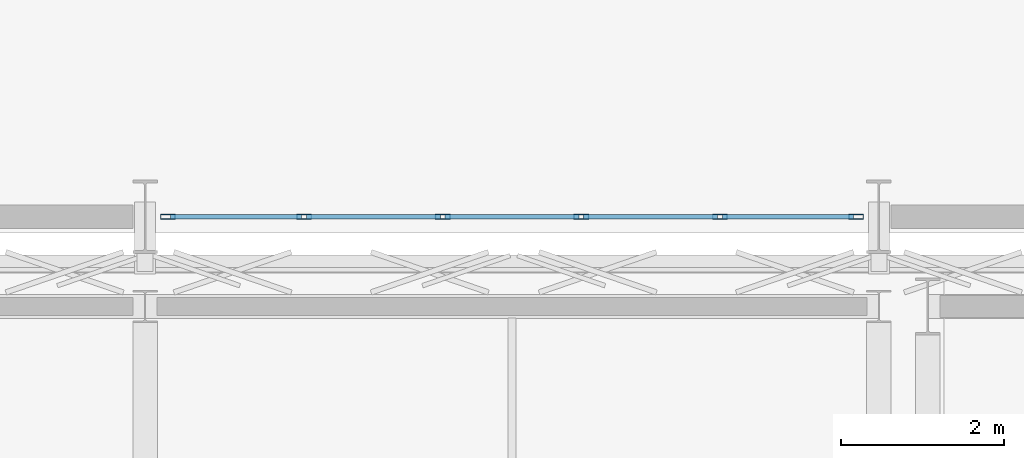
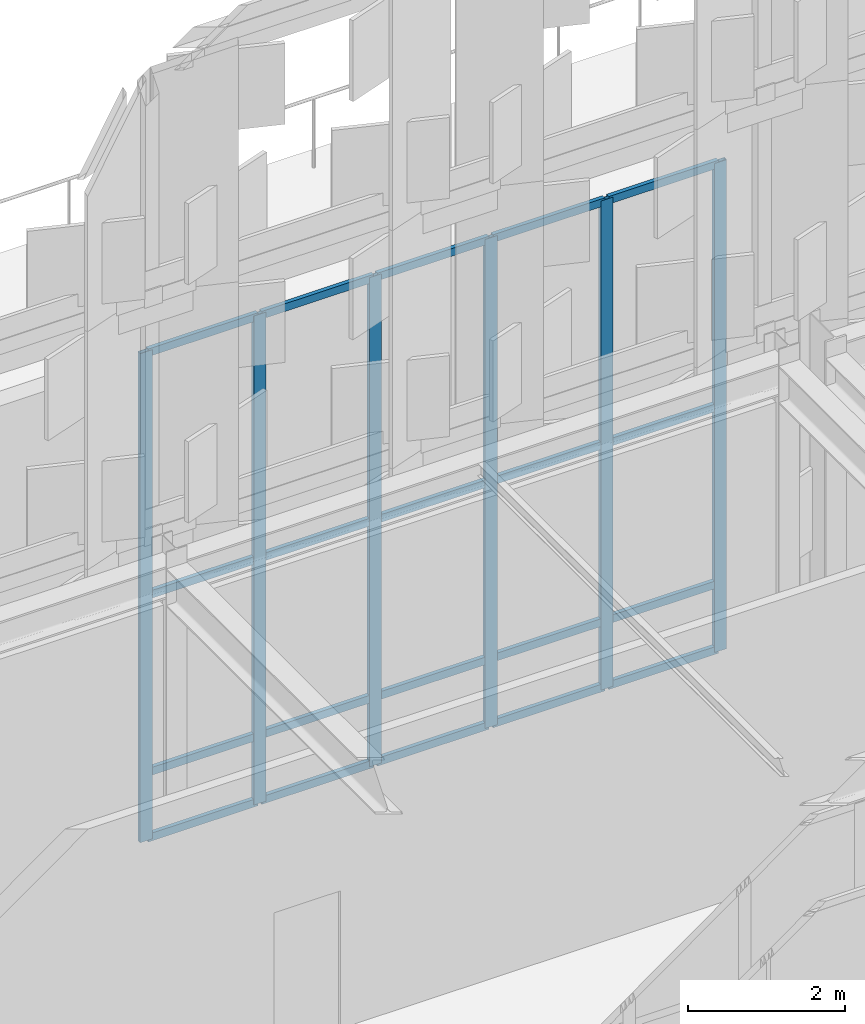
# One storey, part 54 of 210: 26 members, 1 element without a shape of its own.
"""IFC4 building model written with IfcOpenShell, lengths in metres."""

from ifc_helpers import new_model, si_unit, direction, frame, origin, origin_2d, place, context, subcontext, project, spatial, hollow_rectangle, extrude, material, material_profile, profile_set, type_object, element, aggregate, save


model = new_model("IFC4")

# Units and contexts
model_context = context("Model", 3, precision=1e-05, world=origin(), true_north=direction((0.0, 1.0)))
body_context = subcontext(model_context, "Body", "Model", "MODEL_VIEW")
ifc_project = project(units=[si_unit("LENGTHUNIT", "METRE"), si_unit("AREAUNIT", "SQUARE_METRE"), si_unit("VOLUMEUNIT", "CUBIC_METRE"), si_unit("PLANEANGLEUNIT", "RADIAN"), si_unit("MASSUNIT", "GRAM", prefix="KILO")], contexts=[model_context])

# Site, building, storey
site_placement = place(None, origin())
site = spatial("IfcSite", under=ifc_project, at=site_placement, CompositionType="ELEMENT")
building_placement = place(site_placement, origin())
building = spatial("IfcBuilding", under=site, at=building_placement, Name="Kaldris Quays Convention Centre", CompositionType="ELEMENT")
storey_placement = place(building_placement, frame((0.0, 0.0, 6.0)))
storey = spatial("IfcBuildingStorey", under=building, at=storey_placement, Name="L01", CompositionType="ELEMENT", Elevation=6.0)

# Curtain wall, members
ifc_material_1 = material(Name="Anodized aluminium AW-6060 and triple glazing", Category="aluminium")
curtain_wall_type = type_object("IfcCurtainWallType", Name="UNITISED CURTAIN WALL CW03", PredefinedType="NOTDEFINED", material=ifc_material_1)
curtain_wall_placement = place(storey_placement, origin())
curtain_wall = element("IfcCurtainWall", 1, at=curtain_wall_placement, inside=storey, type_object=curtain_wall_type, Name="L01 Unitised Curtain Wall CW03 7", PredefinedType="NOTDEFINED")
ifc_material_2 = material(Name="Anodized aluminium AW-6060", Category="aluminium")
ifc_material_profile_1 = material_profile(ifc_material_2, hollow_rectangle(XDim=0.06005859375, YDim=0.179931640625, WallThickness=0.0048828125, at=origin_2d()), Name="RHS 180x60x5")
ifc_profile_set_1 = profile_set([ifc_material_profile_1], Name="Anodized aluminium AW-6060")
member_type_1 = type_object("IfcMemberType", Name="CURTAIN MULLION CWM2", PredefinedType="MULLION", material=ifc_profile_set_1)
member_1_placement = place(storey_placement, frame((74.280029296875, 56.0, 0.0), z_axis=(0.0, 0.0, 1.0), x_axis=(0.0, 1.0, 0.0)))
member_1 = element("IfcMember", 2, at=member_1_placement, type_object=member_type_1, Name="CW03 mullion 1", PredefinedType="MULLION", context=body_context, shape_type="SweptSolid", body=[
    extrude(hollow_rectangle(XDim=0.06005859375, YDim=0.179931640625, WallThickness=0.0048828125, at=origin_2d()), origin(), (0.0, 0.0, 1.0), 7.60009765625),
])
member_2_placement = place(storey_placement, frame((75.949951171875, 56.0, 0.0), z_axis=(0.0, 0.0, 1.0), x_axis=(0.0, 1.0, 0.0)))
member_2 = element("IfcMember", 3, at=member_2_placement, type_object=member_type_1, Name="CW03 mullion 2", PredefinedType="MULLION", context=body_context, shape_type="SweptSolid", body=[
    extrude(hollow_rectangle(XDim=0.06005859375, YDim=0.179931640625, WallThickness=0.0048828125, at=origin_2d()), origin(), (0.0, 0.0, 1.0), 7.60009765625),
])
member_3_placement = place(storey_placement, frame((77.64990234375, 56.0, 0.0), z_axis=(0.0, 0.0, 1.0), x_axis=(0.0, 1.0, 0.0)))
member_3 = element("IfcMember", 4, at=member_3_placement, type_object=member_type_1, Name="CW03 mullion 3", PredefinedType="MULLION", context=body_context, shape_type="SweptSolid", body=[
    extrude(hollow_rectangle(XDim=0.06005859375, YDim=0.179931640625, WallThickness=0.0048828125, at=origin_2d()), origin(), (0.0, 0.0, 1.0), 7.60009765625),
])
member_4_placement = place(storey_placement, frame((79.35009765625, 56.0, 0.0), z_axis=(0.0, 0.0, 1.0), x_axis=(0.0, 1.0, 0.0)))
member_4 = element("IfcMember", 5, at=member_4_placement, type_object=member_type_1, Name="CW03 mullion 4", PredefinedType="MULLION", context=body_context, shape_type="SweptSolid", body=[
    extrude(hollow_rectangle(XDim=0.06005859375, YDim=0.179931640625, WallThickness=0.0048828125, at=origin_2d()), origin(), (0.0, 0.0, 1.0), 7.60009765625),
])
member_5_placement = place(storey_placement, frame((81.050048828125, 56.0, 0.0), z_axis=(0.0, 0.0, 1.0), x_axis=(0.0, 1.0, 0.0)))
member_5 = element("IfcMember", 6, at=member_5_placement, type_object=member_type_1, Name="CW03 mullion 5", PredefinedType="MULLION", context=body_context, shape_type="SweptSolid", body=[
    extrude(hollow_rectangle(XDim=0.06005859375, YDim=0.179931640625, WallThickness=0.0048828125, at=origin_2d()), origin(), (0.0, 0.0, 1.0), 7.60009765625),
])
member_6_placement = place(storey_placement, frame((82.719970703125, 56.0, 0.0), z_axis=(0.0, 0.0, 1.0), x_axis=(0.0, 1.0, 0.0)))
member_6 = element("IfcMember", 7, at=member_6_placement, type_object=member_type_1, Name="CW03 mullion 6", PredefinedType="MULLION", context=body_context, shape_type="SweptSolid", body=[
    extrude(hollow_rectangle(XDim=0.06005859375, YDim=0.179931640625, WallThickness=0.0048828125, at=origin_2d()), origin(), (0.0, 0.0, 1.0), 7.60009765625),
])
ifc_material_profile_2 = material_profile(ifc_material_2, hollow_rectangle(XDim=0.06005859375, YDim=0.1201171875, WallThickness=0.00390625, at=origin_2d()), Name="RHS 120x60x4")
ifc_profile_set_2 = profile_set([ifc_material_profile_2], Name="Anodized aluminium AW-6060")
member_type_2 = type_object("IfcMemberType", Name="CURTAIN TRANSOM CWT1", PredefinedType="USERDEFINED", material=ifc_profile_set_2)
member_7_placement = place(storey_placement, frame((74.31005859375, 56.0, 0.030029296875), z_axis=(1.0, 0.0, 0.0), x_axis=(0.0, 1.0, 0.0)))
member_7 = element("IfcMember", 8, at=member_7_placement, type_object=member_type_2, Name="CW03 transom 1.1", ObjectType="TRANSOM", PredefinedType="USERDEFINED", context=body_context, shape_type="SweptSolid", body=[
    extrude(hollow_rectangle(XDim=0.06005859375, YDim=0.1201171875, WallThickness=0.00390625, at=origin_2d()), origin(), (0.0, 0.0, 1.0), 1.60986328125),
])
member_8_placement = place(storey_placement, frame((74.31005859375, 56.0, 1.050048828125), z_axis=(1.0, 0.0, 0.0), x_axis=(0.0, 1.0, 0.0)))
member_8 = element("IfcMember", 9, at=member_8_placement, type_object=member_type_2, Name="CW03 transom 1.2", ObjectType="TRANSOM", PredefinedType="USERDEFINED", context=body_context, shape_type="SweptSolid", body=[
    extrude(hollow_rectangle(XDim=0.06005859375, YDim=0.1201171875, WallThickness=0.00390625, at=origin_2d()), origin(), (0.0, 0.0, 1.0), 1.60986328125),
])
member_9_placement = place(storey_placement, frame((74.31005859375, 56.0, 3.800048828125), z_axis=(1.0, 0.0, 0.0), x_axis=(0.0, 1.0, 0.0)))
member_9 = element("IfcMember", 10, at=member_9_placement, type_object=member_type_2, Name="CW03 transom 1.3", ObjectType="TRANSOM", PredefinedType="USERDEFINED", context=body_context, shape_type="SweptSolid", body=[
    extrude(hollow_rectangle(XDim=0.06005859375, YDim=0.1201171875, WallThickness=0.00390625, at=origin_2d()), origin(), (0.0, 0.0, 1.0), 1.60986328125),
])
member_10_placement = place(storey_placement, frame((74.31005859375, 56.0, 7.570068359375), z_axis=(1.0, 0.0, 0.0), x_axis=(0.0, 1.0, 0.0)))
member_10 = element("IfcMember", 11, at=member_10_placement, type_object=member_type_2, Name="CW03 transom 1.4", ObjectType="TRANSOM", PredefinedType="USERDEFINED", context=body_context, shape_type="SweptSolid", body=[
    extrude(hollow_rectangle(XDim=0.06005859375, YDim=0.1201171875, WallThickness=0.00390625, at=origin_2d()), origin(), (0.0, 0.0, 1.0), 1.60986328125),
])
member_11_placement = place(storey_placement, frame((75.97998046875, 56.0, 0.030029296875), z_axis=(1.0, 0.0, 0.0), x_axis=(0.0, 1.0, 0.0)))
member_11 = element("IfcMember", 12, at=member_11_placement, type_object=member_type_2, Name="CW03 transom 2.1", ObjectType="TRANSOM", PredefinedType="USERDEFINED", context=body_context, shape_type="SweptSolid", body=[
    extrude(hollow_rectangle(XDim=0.06005859375, YDim=0.1201171875, WallThickness=0.00390625, at=origin_2d()), origin(), (0.0, 0.0, 1.0), 1.64013671875),
])
member_12_placement = place(storey_placement, frame((75.97998046875, 56.0, 1.050048828125), z_axis=(1.0, 0.0, 0.0), x_axis=(0.0, 1.0, 0.0)))
member_12 = element("IfcMember", 13, at=member_12_placement, type_object=member_type_2, Name="CW03 transom 2.2", ObjectType="TRANSOM", PredefinedType="USERDEFINED", context=body_context, shape_type="SweptSolid", body=[
    extrude(hollow_rectangle(XDim=0.06005859375, YDim=0.1201171875, WallThickness=0.00390625, at=origin_2d()), origin(), (0.0, 0.0, 1.0), 1.64013671875),
])
member_13_placement = place(storey_placement, frame((75.97998046875, 56.0, 3.800048828125), z_axis=(1.0, 0.0, 0.0), x_axis=(0.0, 1.0, 0.0)))
member_13 = element("IfcMember", 14, at=member_13_placement, type_object=member_type_2, Name="CW03 transom 2.3", ObjectType="TRANSOM", PredefinedType="USERDEFINED", context=body_context, shape_type="SweptSolid", body=[
    extrude(hollow_rectangle(XDim=0.06005859375, YDim=0.1201171875, WallThickness=0.00390625, at=origin_2d()), origin(), (0.0, 0.0, 1.0), 1.64013671875),
])
member_14_placement = place(storey_placement, frame((75.97998046875, 56.0, 7.570068359375), z_axis=(1.0, 0.0, 0.0), x_axis=(0.0, 1.0, 0.0)))
member_14 = element("IfcMember", 15, at=member_14_placement, type_object=member_type_2, Name="CW03 transom 2.4", ObjectType="TRANSOM", PredefinedType="USERDEFINED", context=body_context, shape_type="SweptSolid", body=[
    extrude(hollow_rectangle(XDim=0.06005859375, YDim=0.1201171875, WallThickness=0.00390625, at=origin_2d()), origin(), (0.0, 0.0, 1.0), 1.64013671875),
])
member_15_placement = place(storey_placement, frame((77.679931640625, 56.0, 0.030029296875), z_axis=(1.0, 0.0, 0.0), x_axis=(0.0, 1.0, 0.0)))
member_15 = element("IfcMember", 16, at=member_15_placement, type_object=member_type_2, Name="CW03 transom 3.1", ObjectType="TRANSOM", PredefinedType="USERDEFINED", context=body_context, shape_type="SweptSolid", body=[
    extrude(hollow_rectangle(XDim=0.06005859375, YDim=0.1201171875, WallThickness=0.00390625, at=origin_2d()), origin(), (0.0, 0.0, 1.0), 1.64013671875),
])
member_16_placement = place(storey_placement, frame((77.679931640625, 56.0, 1.050048828125), z_axis=(1.0, 0.0, 0.0), x_axis=(0.0, 1.0, 0.0)))
member_16 = element("IfcMember", 17, at=member_16_placement, type_object=member_type_2, Name="CW03 transom 3.2", ObjectType="TRANSOM", PredefinedType="USERDEFINED", context=body_context, shape_type="SweptSolid", body=[
    extrude(hollow_rectangle(XDim=0.06005859375, YDim=0.1201171875, WallThickness=0.00390625, at=origin_2d()), origin(), (0.0, 0.0, 1.0), 1.64013671875),
])
member_17_placement = place(storey_placement, frame((77.679931640625, 56.0, 3.800048828125), z_axis=(1.0, 0.0, 0.0), x_axis=(0.0, 1.0, 0.0)))
member_17 = element("IfcMember", 18, at=member_17_placement, type_object=member_type_2, Name="CW03 transom 3.3", ObjectType="TRANSOM", PredefinedType="USERDEFINED", context=body_context, shape_type="SweptSolid", body=[
    extrude(hollow_rectangle(XDim=0.06005859375, YDim=0.1201171875, WallThickness=0.00390625, at=origin_2d()), origin(), (0.0, 0.0, 1.0), 1.64013671875),
])
member_18_placement = place(storey_placement, frame((77.679931640625, 56.0, 7.570068359375), z_axis=(1.0, 0.0, 0.0), x_axis=(0.0, 1.0, 0.0)))
member_18 = element("IfcMember", 19, at=member_18_placement, type_object=member_type_2, Name="CW03 transom 3.4", ObjectType="TRANSOM", PredefinedType="USERDEFINED", context=body_context, shape_type="SweptSolid", body=[
    extrude(hollow_rectangle(XDim=0.06005859375, YDim=0.1201171875, WallThickness=0.00390625, at=origin_2d()), origin(), (0.0, 0.0, 1.0), 1.64013671875),
])
member_19_placement = place(storey_placement, frame((79.3798828125, 56.0, 0.030029296875), z_axis=(1.0, 0.0, 0.0), x_axis=(0.0, 1.0, 0.0)))
member_19 = element("IfcMember", 20, at=member_19_placement, type_object=member_type_2, Name="CW03 transom 4.1", ObjectType="TRANSOM", PredefinedType="USERDEFINED", context=body_context, shape_type="SweptSolid", body=[
    extrude(hollow_rectangle(XDim=0.06005859375, YDim=0.1201171875, WallThickness=0.00390625, at=origin_2d()), origin(), (0.0, 0.0, 1.0), 1.64013671875),
])
member_20_placement = place(storey_placement, frame((79.3798828125, 56.0, 1.050048828125), z_axis=(1.0, 0.0, 0.0), x_axis=(0.0, 1.0, 0.0)))
member_20 = element("IfcMember", 21, at=member_20_placement, type_object=member_type_2, Name="CW03 transom 4.2", ObjectType="TRANSOM", PredefinedType="USERDEFINED", context=body_context, shape_type="SweptSolid", body=[
    extrude(hollow_rectangle(XDim=0.06005859375, YDim=0.1201171875, WallThickness=0.00390625, at=origin_2d()), origin(), (0.0, 0.0, 1.0), 1.64013671875),
])
member_21_placement = place(storey_placement, frame((79.3798828125, 56.0, 3.800048828125), z_axis=(1.0, 0.0, 0.0), x_axis=(0.0, 1.0, 0.0)))
member_21 = element("IfcMember", 22, at=member_21_placement, type_object=member_type_2, Name="CW03 transom 4.3", ObjectType="TRANSOM", PredefinedType="USERDEFINED", context=body_context, shape_type="SweptSolid", body=[
    extrude(hollow_rectangle(XDim=0.06005859375, YDim=0.1201171875, WallThickness=0.00390625, at=origin_2d()), origin(), (0.0, 0.0, 1.0), 1.64013671875),
])
member_22_placement = place(storey_placement, frame((79.3798828125, 56.0, 7.570068359375), z_axis=(1.0, 0.0, 0.0), x_axis=(0.0, 1.0, 0.0)))
member_22 = element("IfcMember", 23, at=member_22_placement, type_object=member_type_2, Name="CW03 transom 4.4", ObjectType="TRANSOM", PredefinedType="USERDEFINED", context=body_context, shape_type="SweptSolid", body=[
    extrude(hollow_rectangle(XDim=0.06005859375, YDim=0.1201171875, WallThickness=0.00390625, at=origin_2d()), origin(), (0.0, 0.0, 1.0), 1.64013671875),
])
member_23_placement = place(storey_placement, frame((81.080078125, 56.0, 0.030029296875), z_axis=(1.0, 0.0, 0.0), x_axis=(0.0, 1.0, 0.0)))
member_23 = element("IfcMember", 24, at=member_23_placement, type_object=member_type_2, Name="CW03 transom 5.1", ObjectType="TRANSOM", PredefinedType="USERDEFINED", context=body_context, shape_type="SweptSolid", body=[
    extrude(hollow_rectangle(XDim=0.06005859375, YDim=0.1201171875, WallThickness=0.00390625, at=origin_2d()), origin(), (0.0, 0.0, 1.0), 1.60986328125),
])
member_24_placement = place(storey_placement, frame((81.080078125, 56.0, 1.050048828125), z_axis=(1.0, 0.0, 0.0), x_axis=(0.0, 1.0, 0.0)))
member_24 = element("IfcMember", 25, at=member_24_placement, type_object=member_type_2, Name="CW03 transom 5.2", ObjectType="TRANSOM", PredefinedType="USERDEFINED", context=body_context, shape_type="SweptSolid", body=[
    extrude(hollow_rectangle(XDim=0.06005859375, YDim=0.1201171875, WallThickness=0.00390625, at=origin_2d()), origin(), (0.0, 0.0, 1.0), 1.60986328125),
])
member_25_placement = place(storey_placement, frame((81.080078125, 56.0, 3.800048828125), z_axis=(1.0, 0.0, 0.0), x_axis=(0.0, 1.0, 0.0)))
member_25 = element("IfcMember", 26, at=member_25_placement, type_object=member_type_2, Name="CW03 transom 5.3", ObjectType="TRANSOM", PredefinedType="USERDEFINED", context=body_context, shape_type="SweptSolid", body=[
    extrude(hollow_rectangle(XDim=0.06005859375, YDim=0.1201171875, WallThickness=0.00390625, at=origin_2d()), origin(), (0.0, 0.0, 1.0), 1.60986328125),
])
member_26_placement = place(storey_placement, frame((81.080078125, 56.0, 7.570068359375), z_axis=(1.0, 0.0, 0.0), x_axis=(0.0, 1.0, 0.0)))
member_26 = element("IfcMember", 27, at=member_26_placement, type_object=member_type_2, Name="CW03 transom 5.4", ObjectType="TRANSOM", PredefinedType="USERDEFINED", context=body_context, shape_type="SweptSolid", body=[
    extrude(hollow_rectangle(XDim=0.06005859375, YDim=0.1201171875, WallThickness=0.00390625, at=origin_2d()), origin(), (0.0, 0.0, 1.0), 1.60986328125),
])
aggregate(curtain_wall, [member_1, member_2, member_3, member_4, member_5, member_6, member_7, member_8, member_9, member_10, member_11, member_12, member_13, member_14, member_15, member_16, member_17, member_18, member_19, member_20, member_21, member_22, member_23, member_24, member_25, member_26])

save(model, "model.ifc")
